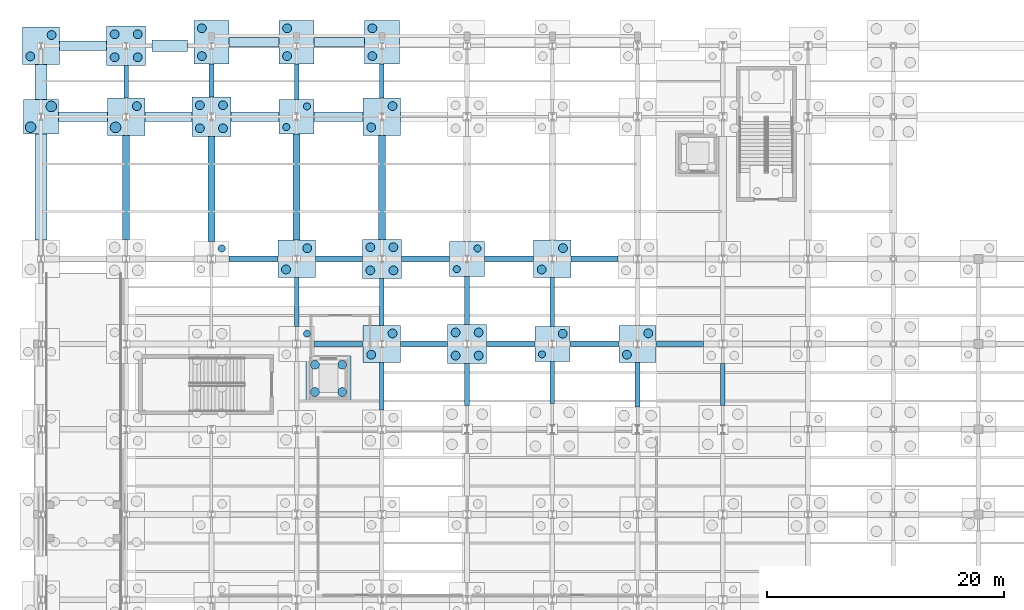
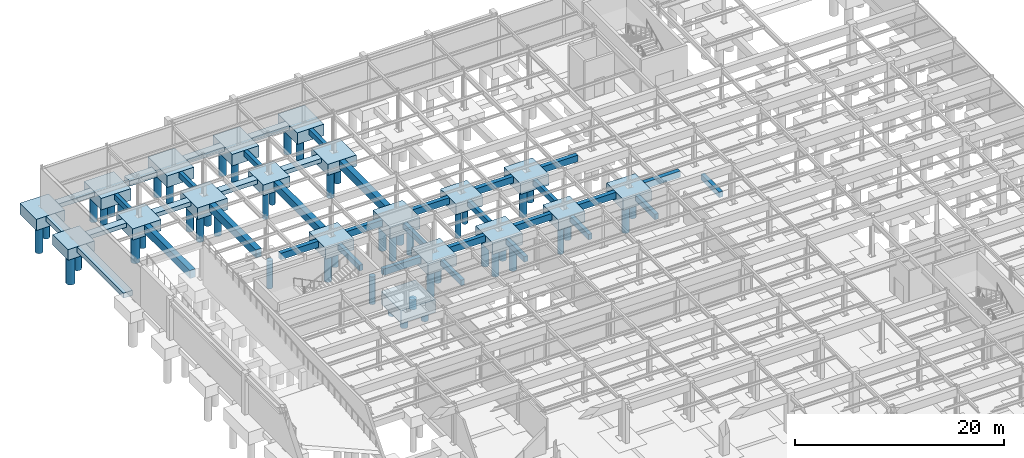
# One storey, part 10 of 64: 56 footings, 50 piles.
"""IFC4 building model written with IfcOpenShell, lengths in metres."""

import ifcopenshell
import ifcopenshell.guid

model = None  # the IFC model being written
_history = None  # IfcOwnerHistory: only IFC2X3 demands one
_inside = {}  # id of a spatial element -> (the spatial element, [elements in it])
_under = {}  # id of a project, library or spatial element -> (it, [spatial elements below it])
_declared = {}  # id of a project -> (the project, [libraries it declares])
_typed = {}  # id of a type object -> (the type object, [elements of that type])
_made_of = {}  # id of a material, layer set ... -> (it, [elements and type objects made of it])


def new_model(schema):
    """Start an empty IFC model of exactly this schema.

    Asked for "IFC4X3", IfcOpenShell would pick the latest addendum, in which some entities
    have other attributes; the version numbers below select the first issue.
    IFC2X3 requires an IfcOwnerHistory on every rooted entity: one is made here for all.
    """
    global model, _history
    if schema == "IFC4X3":
        model = ifcopenshell.file(schema_version=(4, 3, 0, 0))
    else:
        model = ifcopenshell.file(schema=schema)
    _inside.clear()
    _under.clear()
    _declared.clear()
    _typed.clear()
    _made_of.clear()
    _history = None
    if model.schema == "IFC2X3":
        org = make("IfcOrganization", Name="unknown")
        user = make(
            "IfcPersonAndOrganization",
            ThePerson=make("IfcPerson", FamilyName="unknown"),
            TheOrganization=org,
        )
        app = make(
            "IfcApplication",
            ApplicationDeveloper=org,
            Version="unknown",
            ApplicationFullName="unknown",
            ApplicationIdentifier="unknown",
        )
        _history = make(
            "IfcOwnerHistory",
            OwningUser=user,
            OwningApplication=app,
            ChangeAction="ADDED",
            CreationDate=0,
        )
    return model


def make(cls, **values):
    """One entity of the class cls with the attributes given. An attribute that is None is left unset."""
    return model.create_entity(
        cls, **{name: value for name, value in values.items() if value is not None}
    )


def rooted(cls, **values):
    """An entity with a GlobalId (a new one), such as an element, a storey or a relation."""
    return make(cls, GlobalId=ifcopenshell.guid.new(), OwnerHistory=_history, **values)


def si_unit(unit_type, name, prefix=None):
    """IfcSIUnit, for example si_unit("LENGTHUNIT", "METRE", prefix="MILLI")."""
    return make("IfcSIUnit", UnitType=unit_type, Prefix=prefix, Name=name)


def assignment(units):
    """IfcUnitAssignment: the units of a project."""
    return None if units is None else make("IfcUnitAssignment", Units=units)


def point(xyz):
    """IfcCartesianPoint."""
    return None if xyz is None else make("IfcCartesianPoint", Coordinates=xyz)


def direction(xyz):
    """IfcDirection."""
    return None if xyz is None else make("IfcDirection", DirectionRatios=xyz)


def frame(location, z_axis=None, x_axis=None):
    """IfcAxis2Placement3D, a coordinate frame: its origin and axes. An axis left out is left unset."""
    return make(
        "IfcAxis2Placement3D",
        Location=point(location),
        Axis=direction(z_axis),
        RefDirection=direction(x_axis),
    )


def frame_2d(location, x_axis=None):
    """IfcAxis2Placement2D, a coordinate frame in the plane: its origin and x axis."""
    return make(
        "IfcAxis2Placement2D", Location=point(location), RefDirection=direction(x_axis)
    )


def origin():
    """The frame at (0, 0, 0) with its axes left unset."""
    return frame((0.0, 0.0, 0.0))


def origin_2d():
    """The frame at (0, 0) in the plane with its x axis left unset."""
    return frame_2d((0.0, 0.0))


def place(relative_to, where):
    """IfcLocalPlacement: puts the frame where relative to a parent placement (None: the world)."""
    return make(
        "IfcLocalPlacement", PlacementRelTo=relative_to, RelativePlacement=where
    )


def context(
    kind, dimensions, precision=None, world=None, true_north=None, identifier=None
):
    """IfcGeometricRepresentationContext, for example the 3D "Model" context."""
    return make(
        "IfcGeometricRepresentationContext",
        ContextIdentifier=identifier,
        ContextType=kind,
        CoordinateSpaceDimension=dimensions,
        Precision=precision,
        WorldCoordinateSystem=world,
        TrueNorth=true_north,
    )


def subcontext(parent, identifier, kind, view, scale=None):
    """IfcGeometricRepresentationSubContext, for example "Body" below "Model"."""
    return make(
        "IfcGeometricRepresentationSubContext",
        ContextIdentifier=identifier,
        ContextType=kind,
        ParentContext=parent,
        TargetScale=scale,
        TargetView=view,
    )


def project(units=None, contexts=None):
    """IfcProject with its units and contexts."""
    return rooted(
        "IfcProject",
        Name="project",
        RepresentationContexts=contexts,
        UnitsInContext=assignment(units),
    )


def spatial(cls, under=None, at=None, **own):
    """A site, building, storey or space (cls), placed at a placement, below another one or the project."""
    s = rooted(cls, ObjectPlacement=at, **own)
    if under is not None:
        _under.setdefault(under.id(), (under, []))[1].append(s)
    return s


def profile(cls, at=None, kind="AREA", **sizes):
    """A parametric profile (cls). Its sizes go by their IFC names, for example OverallWidth=200.0."""
    return make(cls, ProfileType=kind, Position=at, **sizes)


def rectangle(**sizes):
    """IfcRectangleProfileDef."""
    return profile("IfcRectangleProfileDef", **sizes)


def circle(**sizes):
    """IfcCircleProfileDef."""
    return profile("IfcCircleProfileDef", **sizes)


def extrude(swept, where, along, depth):
    """IfcExtrudedAreaSolid: the profile swept, set in the frame where, extruded along a direction by depth."""
    return make(
        "IfcExtrudedAreaSolid",
        SweptArea=swept,
        Position=where,
        ExtrudedDirection=direction(along),
        Depth=depth,
    )


def shape(context_of_items, identifier, shape_type, items):
    """IfcShapeRepresentation: the items that make up one representation, for example the "Body"."""
    return make(
        "IfcShapeRepresentation",
        ContextOfItems=context_of_items,
        RepresentationIdentifier=identifier,
        RepresentationType=shape_type,
        Items=items,
    )


def material(Name=None, Category=None):
    """IfcMaterial."""
    return make("IfcMaterial", Name=Name, Category=Category)


def material_profile(
    of_material, cross_section, Name=None, Category=None, Priority=None
):
    """IfcMaterialProfile: a cross section and its material."""
    return make(
        "IfcMaterialProfile",
        Name=Name,
        Material=of_material,
        Profile=cross_section,
        Priority=Priority,
        Category=Category,
    )


def profile_set(profiles, Name=None, composite=None):
    """IfcMaterialProfileSet."""
    return make(
        "IfcMaterialProfileSet",
        Name=Name,
        MaterialProfiles=profiles,
        CompositeProfile=composite,
    )


def made_of(thing, what):
    """Note that an element or type object is made of a material, layer set ...; save() writes the relation."""
    if what is not None:
        _made_of.setdefault(what.id(), (what, []))[1].append(thing)
    return thing


def type_object(cls, material=None, **own):
    """A type object (cls), such as IfcWallType, which elements share."""
    return made_of(rooted(cls, **own), material)


def element(
    cls,
    number,
    at=None,
    inside=None,
    cuts=None,
    type_object=None,
    material=None,
    context=None,
    identifier="Body",
    shape_type=None,
    held_by="IfcProductDefinitionShape",
    body=None,
    shapes=None,
    **own,
):
    """One element of the class cls, such as IfcWall. Its Tag is "e" and its number.

    at: its placement. inside: the storey or other place that contains it. cuts: it is an
    opening in that element (IfcRelVoidsElement). A single representation is given by context,
    identifier, shape_type and body (its items); several are given by shapes. held_by: the class
    of the entity that holds the representations. save() writes the other relations.
    """
    e = rooted(cls, Tag="e%d" % number, ObjectPlacement=at, **own)
    if body is not None:
        shapes = [shape(context, identifier, shape_type, body)]
    if shapes is not None:
        e.Representation = make(held_by, Representations=shapes)
    if inside is not None:
        _inside.setdefault(inside.id(), (inside, []))[1].append(e)
    if cuts is not None:
        rooted(
            "IfcRelVoidsElement", RelatingBuildingElement=cuts, RelatedOpeningElement=e
        )
    if type_object is not None:
        _typed.setdefault(type_object.id(), (type_object, []))[1].append(e)
    return made_of(e, material)


def aggregate(whole, parts):
    """IfcRelAggregates: a whole, such as a stair, and the parts it consists of."""
    return rooted("IfcRelAggregates", RelatingObject=whole, RelatedObjects=parts)


def save(model, path):
    """Write the relations noted so far, then the file.

    IfcRelAggregates (storeys below a building ...), IfcRelContainedInSpatialStructure (elements
    in a storey), IfcRelDefinesByType, IfcRelAssociatesMaterial and IfcRelDeclares: one each for
    every whole, place, type object, material and project.
    """
    for whole, parts in _under.values():
        aggregate(whole, parts)
    for where, things in _inside.values():
        rooted(
            "IfcRelContainedInSpatialStructure",
            RelatedElements=things,
            RelatingStructure=where,
        )
    for kind, things in _typed.values():
        rooted("IfcRelDefinesByType", RelatedObjects=things, RelatingType=kind)
    for what, things in _made_of.values():
        rooted("IfcRelAssociatesMaterial", RelatedObjects=things, RelatingMaterial=what)
    for by, libraries in _declared.values():
        rooted("IfcRelDeclares", RelatingContext=by, RelatedDefinitions=libraries)
    model.write(path)


model = new_model("IFC4")

# Units and contexts
model_context = context("Model", 3, precision=1e-05, world=origin(), true_north=direction((0.0, 1.0)))
body_context = subcontext(model_context, "Body", "Model", "MODEL_VIEW")
ifc_project = project(units=[si_unit("LENGTHUNIT", "METRE"), si_unit("AREAUNIT", "SQUARE_METRE"), si_unit("VOLUMEUNIT", "CUBIC_METRE"), si_unit("PLANEANGLEUNIT", "RADIAN"), si_unit("MASSUNIT", "GRAM", prefix="KILO")], contexts=[model_context])

# Site, building, storey
site_placement = place(None, origin())
site = spatial("IfcSite", under=ifc_project, at=site_placement, CompositionType="ELEMENT")
building_placement = place(site_placement, origin())
building = spatial("IfcBuilding", under=site, at=building_placement, Name="Solvadek Multi-Sports Hall", CompositionType="ELEMENT")
storey_placement = place(building_placement, frame((0.0, 0.0, -4.800048828125)))
storey = spatial("IfcBuildingStorey", under=building, at=storey_placement, Name="B1", CompositionType="ELEMENT", Elevation=-4.800048828125)

# Footings
ifc_material_1 = material(Name="Concrete M40", Category="concrete")
footing_type_1 = type_object("IfcFootingType", Name="STR-CAP-295X295X125", PredefinedType="PILE_CAP", material=ifc_material_1)
for number, where, z_axis, x_axis, name in (
    (1, (43.199951171875, 85.199951171875, -1.25), (0.0, 0.0, 1.0), (1.0, 0.0, 0.0), "Pile Cap PC-14 #250"),
    (2, (36.0, 92.39990234375, -1.25), (0.0, 0.0, 1.0), (1.0, 0.0, 0.0), "Pile Cap PC-14 #262"),
    (3, (0.0, 104.39990234375, -1.25), (0.0, 0.0, 1.0), (1.0, 0.0, 0.0), "Pile Cap PC-14 #271"),
    (4, (21.60009765625, 104.39990234375, -1.25), (0.0, 0.0, 1.0), (1.0, 0.0, 0.0), "Pile Cap PC-14 #274"),
):
    element("IfcFooting", number, at=place(storey_placement, frame(where, z_axis=z_axis, x_axis=x_axis)), inside=storey, type_object=footing_type_1, Name=name, PredefinedType="PILE_CAP", context=body_context, shape_type="SweptSolid", body=[
        extrude(rectangle(XDim=2.949951171875, YDim=2.949951171875, at=origin_2d()), origin(), (0.0, 0.0, 1.0), 1.25),
    ])
footing_type_2 = type_object("IfcFootingType", Name="STR-CAP-315X315X130", PredefinedType="PILE_CAP", material=ifc_material_1)
for number, where, z_axis, x_axis, name in (
    (5, (28.800048828125, 85.199951171875, -1.2998046875), (0.0, 0.0, 1.0), (1.0, 0.0, 0.0), "Pile Cap PC-15 #248"),
    (6, (50.39990234375, 85.199951171875, -1.2998046875), (0.0, 0.0, 1.0), (1.0, 0.0, 0.0), "Pile Cap PC-15 #251"),
    (7, (21.60009765625, 92.39990234375, -1.2998046875), (0.0, 0.0, 1.0), (1.0, 0.0, 0.0), "Pile Cap PC-15 #260"),
    (8, (43.199951171875, 92.39990234375, -1.2998046875), (0.0, 0.0, 1.0), (1.0, 0.0, 0.0), "Pile Cap PC-15 #263"),
    (9, (7.199951171875, 104.39990234375, -1.2998046875), (0.0, 0.0, 1.0), (1.0, 0.0, 0.0), "Pile Cap PC-15 #272"),
    (10, (28.800048828125, 104.39990234375, -1.2998046875), (0.0, 0.0, 1.0), (1.0, 0.0, 0.0), "Pile Cap PC-15 #275"),
    (11, (0.0, 110.39990234375, -1.2998046875), (0.0, 0.0, 1.0), (1.0, 0.0, 0.0), "Pile Cap PC-15 #284"),
):
    element("IfcFooting", number, at=place(storey_placement, frame(where, z_axis=z_axis, x_axis=x_axis)), inside=storey, type_object=footing_type_2, Name=name, PredefinedType="PILE_CAP", context=body_context, shape_type="SweptSolid", body=[
        extrude(rectangle(XDim=3.14990234375, YDim=3.14990234375, at=origin_2d()), origin(), (0.0, 0.0, 1.0), 1.300048828125),
    ])
footing_type_3 = type_object("IfcFootingType", Name="STR-CAP-330X330X135", PredefinedType="PILE_CAP", material=ifc_material_1)
for number, where, z_axis, x_axis, name in (
    (12, (36.0, 85.199951171875, -1.35009765625), (0.0, 0.0, 1.0), (1.0, 0.0, 0.0), "Pile Cap PC-04 #249"),
    (13, (28.800048828125, 92.39990234375, -1.35009765625), (0.0, 0.0, 1.0), (1.0, 0.0, 0.0), "Pile Cap PC-04 #261"),
    (14, (14.39990234375, 104.39990234375, -1.35009765625), (0.0, 0.0, 1.0), (1.0, 0.0, 0.0), "Pile Cap PC-04 #273"),
    (15, (7.199951171875, 110.39990234375, -1.35009765625), (0.0, 0.0, 1.0), (1.0, 0.0, 0.0), "Pile Cap PC-04 #285"),
):
    element("IfcFooting", number, at=place(storey_placement, frame(where, z_axis=z_axis, x_axis=x_axis)), inside=storey, type_object=footing_type_3, Name=name, PredefinedType="PILE_CAP", context=body_context, shape_type="SweptSolid", body=[
        extrude(rectangle(XDim=3.300048828125, YDim=3.300048828125, at=origin_2d()), origin(), (0.0, 0.0, 1.0), 1.35009765625),
    ])
footing_type_4 = type_object("IfcFootingType", Name="STR-CAP-380X380X150", PredefinedType="PILE_CAP", material=ifc_material_1)
footing_1_placement = place(storey_placement, frame((24.300048828125, 82.300048828125, -3.349853515625), z_axis=(0.0, 0.0, 1.0), x_axis=(1.0, 0.0, 0.0)))
element("IfcFooting", 16, at=footing_1_placement, inside=storey, type_object=footing_type_4, Name="Lift Pit Pile Cap #294", PredefinedType="PILE_CAP", context=body_context, shape_type="SweptSolid", body=[
    extrude(rectangle(XDim=3.800048828125, YDim=3.800048828125, at=origin_2d()), origin(), (0.0, 0.0, 1.0), 1.5),
])
footing_type_5 = type_object("IfcFootingType", Name="STR-CAP-CMB-370X296", PredefinedType="PILE_CAP", material=ifc_material_1)
for number, where, z_axis, x_axis, name in (
    (17, (14.39990234375, 110.699951171875, -1.35009765625), (0.0, 0.0, 1.0), (0.0, 1.0, 0.0), "Pile Cap PC-R69 #286"),
    (18, (21.60009765625, 110.699951171875, -1.35009765625), (0.0, 0.0, 1.0), (0.0, 1.0, 0.0), "Pile Cap PC-R69 #287"),
    (19, (28.800048828125, 110.699951171875, -1.35009765625), (0.0, 0.0, 1.0), (0.0, 1.0, 0.0), "Pile Cap PC-R69 #288"),
):
    element("IfcFooting", number, at=place(storey_placement, frame(where, z_axis=z_axis, x_axis=x_axis)), inside=storey, type_object=footing_type_5, Name=name, PredefinedType="PILE_CAP", context=body_context, shape_type="SweptSolid", body=[
        extrude(rectangle(XDim=3.699951171875, YDim=2.9599609375, at=origin_2d()), origin(), (0.0, 0.0, 1.0), 1.35009765625),
    ])
footing_type_6 = type_object("IfcFootingType", Name="STR-FTB-400X650", PredefinedType="FOOTING_BEAM", material=ifc_material_1)
footing_2_placement = place(storey_placement, frame((7.199951171875, 107.362548828125, -0.64990234375), z_axis=(0.0, 0.0, 1.0), x_axis=(0.0, 1.0, 0.0)))
element("IfcFooting", 20, at=footing_2_placement, inside=storey, type_object=footing_type_6, Name="Foundation Beam FB-01 #228", PredefinedType="FOOTING_BEAM", context=body_context, shape_type="SweptSolid", body=[
    extrude(rectangle(XDim=2.77490234375, YDim=0.39990234375, at=origin_2d()), origin(), (0.0, 0.0, 1.0), 0.64990234375),
])
footing_3_placement = place(storey_placement, frame((14.39990234375, 107.449951171875, -0.64990234375), z_axis=(0.0, 0.0, 1.0), x_axis=(0.0, 1.0, 0.0)))
element("IfcFooting", 21, at=footing_3_placement, inside=storey, type_object=footing_type_6, Name="Foundation Beam FB-01 #237", PredefinedType="FOOTING_BEAM", context=body_context, shape_type="SweptSolid", body=[
    extrude(rectangle(XDim=2.800048828125, YDim=0.39990234375, at=origin_2d()), origin(), (0.0, 0.0, 1.0), 0.64990234375),
])
footing_4_placement = place(storey_placement, frame((21.60009765625, 88.75, -0.64990234375), z_axis=(0.0, 0.0, 1.0), x_axis=(0.0, 1.0, 0.0)))
element("IfcFooting", 22, at=footing_4_placement, inside=storey, type_object=footing_type_6, Name="Foundation Beam FB-01 #247", PredefinedType="FOOTING_BEAM", context=body_context, shape_type="SweptSolid", body=[
    extrude(rectangle(XDim=4.14990234375, YDim=0.39990234375, at=origin_2d()), origin(), (0.0, 0.0, 1.0), 0.64990234375),
])
footing_5_placement = place(storey_placement, frame((21.60009765625, 107.362548828125, -0.64990234375), z_axis=(0.0, 0.0, 1.0), x_axis=(0.0, 1.0, 0.0)))
element("IfcFooting", 23, at=footing_5_placement, inside=storey, type_object=footing_type_6, Name="Foundation Beam FB-01 #249", PredefinedType="FOOTING_BEAM", context=body_context, shape_type="SweptSolid", body=[
    extrude(rectangle(XDim=2.97509765625, YDim=0.39990234375, at=origin_2d()), origin(), (0.0, 0.0, 1.0), 0.64990234375),
])
for number, where, z_axis, x_axis, name in (
    (24, (28.800048828125, 81.637451171875, -0.64990234375), (0.0, 0.0, 1.0), (0.0, 1.0, 0.0), "Foundation Beam FB-01 #257"),
    (25, (28.800048828125, 88.762451171875, -0.64990234375), (0.0, 0.0, 1.0), (0.0, 1.0, 0.0), "Foundation Beam FB-01 #258"),
):
    element("IfcFooting", number, at=place(storey_placement, frame(where, z_axis=z_axis, x_axis=x_axis)), inside=storey, type_object=footing_type_6, Name=name, PredefinedType="FOOTING_BEAM", context=body_context, shape_type="SweptSolid", body=[
        extrude(rectangle(XDim=3.97509765625, YDim=0.39990234375, at=origin_2d()), origin(), (0.0, 0.0, 1.0), 0.64990234375),
    ])
footing_6_placement = place(storey_placement, frame((28.800048828125, 107.41259765625, -0.64990234375), z_axis=(0.0, 0.0, 1.0), x_axis=(0.0, 1.0, 0.0)))
element("IfcFooting", 26, at=footing_6_placement, inside=storey, type_object=footing_type_6, Name="Foundation Beam FB-01 #260", PredefinedType="FOOTING_BEAM", context=body_context, shape_type="SweptSolid", body=[
    extrude(rectangle(XDim=2.875, YDim=0.39990234375, at=origin_2d()), origin(), (0.0, 0.0, 1.0), 0.64990234375),
])
footing_7_placement = place(storey_placement, frame((36.0, 81.78759765625, -0.64990234375), z_axis=(0.0, 0.0, 1.0), x_axis=(0.0, 1.0, 0.0)))
element("IfcFooting", 27, at=footing_7_placement, inside=storey, type_object=footing_type_6, Name="Foundation Beam FB-01 #270", PredefinedType="FOOTING_BEAM", context=body_context, shape_type="SweptSolid", body=[
    extrude(rectangle(XDim=3.52490234375, YDim=0.39990234375, at=origin_2d()), origin(), (0.0, 0.0, 1.0), 0.64990234375),
])
footing_8_placement = place(storey_placement, frame((36.0, 88.887451171875, -0.64990234375), z_axis=(0.0, 0.0, 1.0), x_axis=(0.0, 1.0, 0.0)))
element("IfcFooting", 28, at=footing_8_placement, inside=storey, type_object=footing_type_6, Name="Foundation Beam FB-01 #271", PredefinedType="FOOTING_BEAM", context=body_context, shape_type="SweptSolid", body=[
    extrude(rectangle(XDim=4.074951171875, YDim=0.39990234375, at=origin_2d()), origin(), (0.0, 0.0, 1.0), 0.64990234375),
])
footing_9_placement = place(storey_placement, frame((43.199951171875, 81.949951171875, -0.64990234375), z_axis=(0.0, 0.0, 1.0), x_axis=(0.0, 1.0, 0.0)))
element("IfcFooting", 29, at=footing_9_placement, inside=storey, type_object=footing_type_6, Name="Foundation Beam FB-01 #284", PredefinedType="FOOTING_BEAM", context=body_context, shape_type="SweptSolid", body=[
    extrude(rectangle(XDim=3.550048828125, YDim=0.39990234375, at=origin_2d()), origin(), (0.0, 0.0, 1.0), 0.64990234375),
])
footing_10_placement = place(storey_placement, frame((43.199951171875, 88.75, -0.64990234375), z_axis=(0.0, 0.0, 1.0), x_axis=(0.0, 1.0, 0.0)))
element("IfcFooting", 30, at=footing_10_placement, inside=storey, type_object=footing_type_6, Name="Foundation Beam FB-01 #285", PredefinedType="FOOTING_BEAM", context=body_context, shape_type="SweptSolid", body=[
    extrude(rectangle(XDim=4.14990234375, YDim=0.39990234375, at=origin_2d()), origin(), (0.0, 0.0, 1.0), 0.64990234375),
])
footing_11_placement = place(storey_placement, frame((50.39990234375, 81.762451171875, -0.64990234375), z_axis=(0.0, 0.0, 1.0), x_axis=(0.0, 1.0, 0.0)))
element("IfcFooting", 31, at=footing_11_placement, inside=storey, type_object=footing_type_6, Name="Foundation Beam FB-01 #298", PredefinedType="FOOTING_BEAM", context=body_context, shape_type="SweptSolid", body=[
    extrude(rectangle(XDim=3.72509765625, YDim=0.39990234375, at=origin_2d()), origin(), (0.0, 0.0, 1.0), 0.64990234375),
])
footing_12_placement = place(storey_placement, frame((57.60009765625, 81.78759765625, -0.64990234375), z_axis=(0.0, 0.0, 1.0), x_axis=(0.0, 1.0, 0.0)))
element("IfcFooting", 32, at=footing_12_placement, inside=storey, type_object=footing_type_6, Name="Foundation Beam FB-01 #311", PredefinedType="FOOTING_BEAM", context=body_context, shape_type="SweptSolid", body=[
    extrude(rectangle(XDim=3.52490234375, YDim=0.39990234375, at=origin_2d()), origin(), (0.0, 0.0, 1.0), 0.64990234375),
])
footing_type_7 = type_object("IfcFootingType", Name="STR-FTB-450X750", PredefinedType="FOOTING_BEAM", material=ifc_material_1)
footing_13_placement = place(storey_placement, frame((25.14990234375, 85.199951171875, -0.75), z_axis=(0.0, 0.0, 1.0), x_axis=(1.0, 0.0, 0.0)))
element("IfcFooting", 33, at=footing_13_placement, inside=storey, type_object=footing_type_7, Name="Foundation Beam FB-02 #176", PredefinedType="FOOTING_BEAM", context=body_context, shape_type="SweptSolid", body=[
    extrude(rectangle(XDim=4.14990234375, YDim=0.449951171875, at=origin_2d()), origin(), (0.0, 0.0, 1.0), 0.75),
])
footing_14_placement = place(storey_placement, frame((32.362548828125, 85.199951171875, -0.75), z_axis=(0.0, 0.0, 1.0), x_axis=(1.0, 0.0, 0.0)))
element("IfcFooting", 34, at=footing_14_placement, inside=storey, type_object=footing_type_7, Name="Foundation Beam FB-02 #177", PredefinedType="FOOTING_BEAM", context=body_context, shape_type="SweptSolid", body=[
    extrude(rectangle(XDim=3.97509765625, YDim=0.449951171875, at=origin_2d()), origin(), (0.0, 0.0, 1.0), 0.75),
])
footing_15_placement = place(storey_placement, frame((39.6875, 85.199951171875, -0.75), z_axis=(0.0, 0.0, 1.0), x_axis=(1.0, 0.0, 0.0)))
element("IfcFooting", 35, at=footing_15_placement, inside=storey, type_object=footing_type_7, Name="Foundation Beam FB-02 #178", PredefinedType="FOOTING_BEAM", context=body_context, shape_type="SweptSolid", body=[
    extrude(rectangle(XDim=4.074951171875, YDim=0.449951171875, at=origin_2d()), origin(), (0.0, 0.0, 1.0), 0.75),
])
footing_16_placement = place(storey_placement, frame((46.75, 85.199951171875, -0.75), z_axis=(0.0, 0.0, 1.0), x_axis=(1.0, 0.0, 0.0)))
element("IfcFooting", 36, at=footing_16_placement, inside=storey, type_object=footing_type_7, Name="Foundation Beam FB-02 #179", PredefinedType="FOOTING_BEAM", context=body_context, shape_type="SweptSolid", body=[
    extrude(rectangle(XDim=4.14990234375, YDim=0.449951171875, at=origin_2d()), origin(), (0.0, 0.0, 1.0), 0.75),
])
footing_17_placement = place(storey_placement, frame((53.96240234375, 85.199951171875, -0.75), z_axis=(0.0, 0.0, 1.0), x_axis=(1.0, 0.0, 0.0)))
element("IfcFooting", 37, at=footing_17_placement, inside=storey, type_object=footing_type_7, Name="Foundation Beam FB-02 #180", PredefinedType="FOOTING_BEAM", context=body_context, shape_type="SweptSolid", body=[
    extrude(rectangle(XDim=3.97509765625, YDim=0.449951171875, at=origin_2d()), origin(), (0.0, 0.0, 1.0), 0.75),
])
footing_18_placement = place(storey_placement, frame((17.949951171875, 92.39990234375, -0.75), z_axis=(0.0, 0.0, 1.0), x_axis=(1.0, 0.0, 0.0)))
element("IfcFooting", 38, at=footing_18_placement, inside=storey, type_object=footing_type_7, Name="Foundation Beam FB-02 #187", PredefinedType="FOOTING_BEAM", context=body_context, shape_type="SweptSolid", body=[
    extrude(rectangle(XDim=4.14990234375, YDim=0.449951171875, at=origin_2d()), origin(), (0.0, 0.0, 1.0), 0.75),
])
footing_19_placement = place(storey_placement, frame((25.16259765625, 92.39990234375, -0.75), z_axis=(0.0, 0.0, 1.0), x_axis=(1.0, 0.0, 0.0)))
element("IfcFooting", 39, at=footing_19_placement, inside=storey, type_object=footing_type_7, Name="Foundation Beam FB-02 #188", PredefinedType="FOOTING_BEAM", context=body_context, shape_type="SweptSolid", body=[
    extrude(rectangle(XDim=3.97509765625, YDim=0.449951171875, at=origin_2d()), origin(), (0.0, 0.0, 1.0), 0.75),
])
footing_20_placement = place(storey_placement, frame((32.487548828125, 92.39990234375, -0.75), z_axis=(0.0, 0.0, 1.0), x_axis=(1.0, 0.0, 0.0)))
element("IfcFooting", 40, at=footing_20_placement, inside=storey, type_object=footing_type_7, Name="Foundation Beam FB-02 #189", PredefinedType="FOOTING_BEAM", context=body_context, shape_type="SweptSolid", body=[
    extrude(rectangle(XDim=4.074951171875, YDim=0.449951171875, at=origin_2d()), origin(), (0.0, 0.0, 1.0), 0.75),
])
footing_21_placement = place(storey_placement, frame((39.550048828125, 92.39990234375, -0.75), z_axis=(0.0, 0.0, 1.0), x_axis=(1.0, 0.0, 0.0)))
element("IfcFooting", 41, at=footing_21_placement, inside=storey, type_object=footing_type_7, Name="Foundation Beam FB-02 #190", PredefinedType="FOOTING_BEAM", context=body_context, shape_type="SweptSolid", body=[
    extrude(rectangle(XDim=4.14990234375, YDim=0.449951171875, at=origin_2d()), origin(), (0.0, 0.0, 1.0), 0.75),
])
footing_22_placement = place(storey_placement, frame((46.762451171875, 92.39990234375, -0.75), z_axis=(0.0, 0.0, 1.0), x_axis=(1.0, 0.0, 0.0)))
element("IfcFooting", 42, at=footing_22_placement, inside=storey, type_object=footing_type_7, Name="Foundation Beam FB-02 #191", PredefinedType="FOOTING_BEAM", context=body_context, shape_type="SweptSolid", body=[
    extrude(rectangle(XDim=3.97509765625, YDim=0.449951171875, at=origin_2d()), origin(), (0.0, 0.0, 1.0), 0.75),
])
footing_type_8 = type_object("IfcFootingType", Name="STR-FTB-600X950", PredefinedType="FOOTING_BEAM", material=ifc_material_1)
footing_23_placement = place(storey_placement, frame((7.199951171875, 98.4375, -0.94970703125), z_axis=(0.0, 0.0, 1.0), x_axis=(0.0, 1.0, 0.0)))
element("IfcFooting", 43, at=footing_23_placement, inside=storey, type_object=footing_type_8, Name="Foundation Beam FB-04 #227", PredefinedType="FOOTING_BEAM", context=body_context, shape_type="SweptSolid", body=[
    extrude(rectangle(XDim=8.77490234375, YDim=0.60009765625, at=origin_2d()), origin(), (0.0, 0.0, 1.0), 0.949951171875),
])
footing_24_placement = place(storey_placement, frame((14.39990234375, 98.3125, -0.94970703125), z_axis=(0.0, 0.0, 1.0), x_axis=(0.0, 1.0, 0.0)))
element("IfcFooting", 44, at=footing_24_placement, inside=storey, type_object=footing_type_8, Name="Foundation Beam FB-04 #236", PredefinedType="FOOTING_BEAM", context=body_context, shape_type="SweptSolid", body=[
    extrude(rectangle(XDim=8.875, YDim=0.60009765625, at=origin_2d()), origin(), (0.0, 0.0, 1.0), 0.949951171875),
])
footing_25_placement = place(storey_placement, frame((21.60009765625, 98.449951171875, -0.94970703125), z_axis=(0.0, 0.0, 1.0), x_axis=(0.0, 1.0, 0.0)))
element("IfcFooting", 45, at=footing_25_placement, inside=storey, type_object=footing_type_8, Name="Foundation Beam FB-04 #248", PredefinedType="FOOTING_BEAM", context=body_context, shape_type="SweptSolid", body=[
    extrude(rectangle(XDim=8.949951171875, YDim=0.60009765625, at=origin_2d()), origin(), (0.0, 0.0, 1.0), 0.949951171875),
])
footing_26_placement = place(storey_placement, frame((28.800048828125, 98.4375, -0.94970703125), z_axis=(0.0, 0.0, 1.0), x_axis=(0.0, 1.0, 0.0)))
element("IfcFooting", 46, at=footing_26_placement, inside=storey, type_object=footing_type_8, Name="Foundation Beam FB-04 #259", PredefinedType="FOOTING_BEAM", context=body_context, shape_type="SweptSolid", body=[
    extrude(rectangle(XDim=8.77490234375, YDim=0.60009765625, at=origin_2d()), origin(), (0.0, 0.0, 1.0), 0.949951171875),
])

# Piles
ifc_material_2 = material(Name="Concrete M35", Category="concrete")
ifc_material_profile_1 = material_profile(ifc_material_2, circle(Radius=0.300048828125, at=origin_2d()), Name="BORED PILE D600")
ifc_profile_set_1 = profile_set([ifc_material_profile_1], Name="Concrete M35")
pile_type_1 = type_object("IfcPileType", Name="STR-PILE-D600", PredefinedType="BORED", material=ifc_profile_set_1)
for number, where, z_axis, x_axis, name in (
    (47, (22.47509765625, 86.074951171875, -1.14990234375), (0.0, 0.0, -1.0), (1.0, 0.0, 0.0), "Bored Pile PL-600 #793"),
    (48, (42.324951171875, 84.324951171875, -1.14990234375), (0.0, 0.0, -1.0), (1.0, 0.0, 0.0), "Bored Pile PL-600 #800"),
    (49, (15.27490234375, 93.27490234375, -1.14990234375), (0.0, 0.0, -1.0), (1.0, 0.0, 0.0), "Bored Pile PL-600 #827"),
    (50, (35.125, 91.52490234375, -1.14990234375), (0.0, 0.0, -1.0), (1.0, 0.0, 0.0), "Bored Pile PL-600 #834"),
    (51, (36.875, 93.27490234375, -1.14990234375), (0.0, 0.0, -1.0), (1.0, 0.0, 0.0), "Bored Pile PL-600 #835"),
    (52, (20.72509765625, 103.52490234375, -1.14990234375), (0.0, 0.0, -1.0), (1.0, 0.0, 0.0), "Bored Pile PL-600 #866"),
    (53, (22.47509765625, 105.27490234375, -1.14990234375), (0.0, 0.0, -1.0), (1.0, 0.0, 0.0), "Bored Pile PL-600 #867"),
):
    element("IfcPile", number, at=place(storey_placement, frame(where, z_axis=z_axis, x_axis=x_axis)), inside=storey, type_object=pile_type_1, Name=name, PredefinedType="BORED", context=body_context, shape_type="SweptSolid", body=[
        extrude(circle(Radius=0.300048828125, at=origin_2d()), origin(), (0.0, 0.0, 1.0), 3.25),
    ])
ifc_material_profile_2 = material_profile(ifc_material_2, circle(Radius=0.375, at=origin_2d()), Name="BORED PILE D750")
ifc_profile_set_2 = profile_set([ifc_material_profile_2], Name="Concrete M35")
pile_type_2 = type_object("IfcPileType", Name="STR-PILE-D750", PredefinedType="BORED", material=ifc_profile_set_2)
for number, where, z_axis, x_axis, name in (
    (54, (27.89990234375, 84.300048828125, -1.199951171875), (0.0, 0.0, -1.0), (1.0, 0.0, 0.0), "Bored Pile PL-750 #794"),
    (55, (29.699951171875, 86.10009765625, -1.199951171875), (0.0, 0.0, -1.0), (1.0, 0.0, 0.0), "Bored Pile PL-750 #795"),
):
    element("IfcPile", number, at=place(storey_placement, frame(where, z_axis=z_axis, x_axis=x_axis)), inside=storey, type_object=pile_type_2, Name=name, PredefinedType="BORED", context=body_context, shape_type="SweptSolid", body=[
        extrude(circle(Radius=0.375, at=origin_2d()), origin(), (0.0, 0.0, 1.0), 3.199951171875),
    ])
for number, where, z_axis, x_axis, name in (
    (56, (35.02490234375, 84.22509765625, -1.25), (0.0, 0.0, -1.0), (1.0, 0.0, 0.0), "Bored Pile PL-750 #796"),
    (57, (35.02490234375, 86.175048828125, -1.25), (0.0, 0.0, -1.0), (1.0, 0.0, 0.0), "Bored Pile PL-750 #797"),
    (58, (36.97509765625, 84.22509765625, -1.25), (0.0, 0.0, -1.0), (1.0, 0.0, 0.0), "Bored Pile PL-750 #798"),
    (59, (36.97509765625, 86.175048828125, -1.25), (0.0, 0.0, -1.0), (1.0, 0.0, 0.0), "Bored Pile PL-750 #799"),
):
    element("IfcPile", number, at=place(storey_placement, frame(where, z_axis=z_axis, x_axis=x_axis)), inside=storey, type_object=pile_type_2, Name=name, PredefinedType="BORED", context=body_context, shape_type="SweptSolid", body=[
        extrude(circle(Radius=0.375, at=origin_2d()), origin(), (0.0, 0.0, 1.0), 3.14990234375),
    ])
pile_1_placement = place(storey_placement, frame((44.074951171875, 86.074951171875, -1.14990234375), z_axis=(0.0, 0.0, -1.0), x_axis=(1.0, 0.0, 0.0)))
element("IfcPile", 60, at=pile_1_placement, inside=storey, type_object=pile_type_2, Name="Bored Pile PL-750 #801", PredefinedType="BORED", context=body_context, shape_type="SweptSolid", body=[
    extrude(circle(Radius=0.375, at=origin_2d()), origin(), (0.0, 0.0, 1.0), 3.25),
])
for number, where, z_axis, x_axis, name in (
    (61, (49.5, 84.300048828125, -1.199951171875), (0.0, 0.0, -1.0), (1.0, 0.0, 0.0), "Bored Pile PL-750 #802"),
    (62, (51.300048828125, 86.10009765625, -1.199951171875), (0.0, 0.0, -1.0), (1.0, 0.0, 0.0), "Bored Pile PL-750 #803"),
    (63, (20.699951171875, 91.5, -1.199951171875), (0.0, 0.0, -1.0), (1.0, 0.0, 0.0), "Bored Pile PL-750 #828"),
    (64, (22.5, 93.300048828125, -1.199951171875), (0.0, 0.0, -1.0), (1.0, 0.0, 0.0), "Bored Pile PL-750 #829"),
):
    element("IfcPile", number, at=place(storey_placement, frame(where, z_axis=z_axis, x_axis=x_axis)), inside=storey, type_object=pile_type_2, Name=name, PredefinedType="BORED", context=body_context, shape_type="SweptSolid", body=[
        extrude(circle(Radius=0.375, at=origin_2d()), origin(), (0.0, 0.0, 1.0), 3.199951171875),
    ])
for number, where, z_axis, x_axis, name in (
    (65, (27.824951171875, 91.425048828125, -1.25), (0.0, 0.0, -1.0), (1.0, 0.0, 0.0), "Bored Pile PL-750 #830"),
    (66, (27.824951171875, 93.375, -1.25), (0.0, 0.0, -1.0), (1.0, 0.0, 0.0), "Bored Pile PL-750 #831"),
    (67, (29.77490234375, 91.425048828125, -1.25), (0.0, 0.0, -1.0), (1.0, 0.0, 0.0), "Bored Pile PL-750 #832"),
    (68, (29.77490234375, 93.375, -1.25), (0.0, 0.0, -1.0), (1.0, 0.0, 0.0), "Bored Pile PL-750 #833"),
):
    element("IfcPile", number, at=place(storey_placement, frame(where, z_axis=z_axis, x_axis=x_axis)), inside=storey, type_object=pile_type_2, Name=name, PredefinedType="BORED", context=body_context, shape_type="SweptSolid", body=[
        extrude(circle(Radius=0.375, at=origin_2d()), origin(), (0.0, 0.0, 1.0), 3.14990234375),
    ])
for number, where, z_axis, x_axis, name in (
    (69, (42.300048828125, 91.5, -1.199951171875), (0.0, 0.0, -1.0), (1.0, 0.0, 0.0), "Bored Pile PL-750 #836"),
    (70, (44.10009765625, 93.300048828125, -1.199951171875), (0.0, 0.0, -1.0), (1.0, 0.0, 0.0), "Bored Pile PL-750 #837"),
    (71, (8.10009765625, 105.300048828125, -1.199951171875), (0.0, 0.0, -1.0), (1.0, 0.0, 0.0), "Bored Pile PL-750 #861"),
):
    element("IfcPile", number, at=place(storey_placement, frame(where, z_axis=z_axis, x_axis=x_axis)), inside=storey, type_object=pile_type_2, Name=name, PredefinedType="BORED", context=body_context, shape_type="SweptSolid", body=[
        extrude(circle(Radius=0.375, at=origin_2d()), origin(), (0.0, 0.0, 1.0), 3.199951171875),
    ])
for number, where, z_axis, x_axis, name in (
    (72, (13.425048828125, 103.425048828125, -1.25), (0.0, 0.0, -1.0), (1.0, 0.0, 0.0), "Bored Pile PL-750 #862"),
    (73, (13.425048828125, 105.375, -1.25), (0.0, 0.0, -1.0), (1.0, 0.0, 0.0), "Bored Pile PL-750 #863"),
    (74, (15.375, 103.425048828125, -1.25), (0.0, 0.0, -1.0), (1.0, 0.0, 0.0), "Bored Pile PL-750 #864"),
    (75, (15.375, 105.375, -1.25), (0.0, 0.0, -1.0), (1.0, 0.0, 0.0), "Bored Pile PL-750 #865"),
):
    element("IfcPile", number, at=place(storey_placement, frame(where, z_axis=z_axis, x_axis=x_axis)), inside=storey, type_object=pile_type_2, Name=name, PredefinedType="BORED", context=body_context, shape_type="SweptSolid", body=[
        extrude(circle(Radius=0.375, at=origin_2d()), origin(), (0.0, 0.0, 1.0), 3.14990234375),
    ])
for number, where, z_axis, x_axis, name in (
    (76, (27.89990234375, 103.5, -1.199951171875), (0.0, 0.0, -1.0), (1.0, 0.0, 0.0), "Bored Pile PL-750 #868"),
    (77, (29.699951171875, 105.300048828125, -1.199951171875), (0.0, 0.0, -1.0), (1.0, 0.0, 0.0), "Bored Pile PL-750 #869"),
    (78, (-0.89990234375, 109.5, -1.199951171875), (0.0, 0.0, -1.0), (1.0, 0.0, 0.0), "Bored Pile PL-750 #894"),
    (79, (0.89990234375, 111.300048828125, -1.199951171875), (0.0, 0.0, -1.0), (1.0, 0.0, 0.0), "Bored Pile PL-750 #895"),
):
    element("IfcPile", number, at=place(storey_placement, frame(where, z_axis=z_axis, x_axis=x_axis)), inside=storey, type_object=pile_type_2, Name=name, PredefinedType="BORED", context=body_context, shape_type="SweptSolid", body=[
        extrude(circle(Radius=0.375, at=origin_2d()), origin(), (0.0, 0.0, 1.0), 3.199951171875),
    ])
for number, where, z_axis, x_axis, name in (
    (80, (6.22509765625, 109.425048828125, -1.25), (0.0, 0.0, -1.0), (1.0, 0.0, 0.0), "Bored Pile PL-750 #896"),
    (81, (6.22509765625, 111.375, -1.25), (0.0, 0.0, -1.0), (1.0, 0.0, 0.0), "Bored Pile PL-750 #897"),
    (82, (8.175048828125, 109.425048828125, -1.25), (0.0, 0.0, -1.0), (1.0, 0.0, 0.0), "Bored Pile PL-750 #898"),
    (83, (8.175048828125, 111.375, -1.25), (0.0, 0.0, -1.0), (1.0, 0.0, 0.0), "Bored Pile PL-750 #899"),
    (84, (13.594970703125, 109.52490234375, -1.25), (0.0, 0.0, -1.0), (1.0, 0.0, 0.0), "Bored Pile PL-750 #900"),
    (85, (13.594970703125, 111.875, -1.25), (0.0, 0.0, -1.0), (1.0, 0.0, 0.0), "Bored Pile PL-750 #901"),
    (86, (20.794921875, 109.52490234375, -1.25), (0.0, 0.0, -1.0), (1.0, 0.0, 0.0), "Bored Pile PL-750 #902"),
    (87, (20.794921875, 111.875, -1.25), (0.0, 0.0, -1.0), (1.0, 0.0, 0.0), "Bored Pile PL-750 #903"),
    (88, (27.9951171875, 109.52490234375, -1.25), (0.0, 0.0, -1.0), (1.0, 0.0, 0.0), "Bored Pile PL-750 #904"),
    (89, (27.9951171875, 111.875, -1.25), (0.0, 0.0, -1.0), (1.0, 0.0, 0.0), "Bored Pile PL-750 #905"),
):
    element("IfcPile", number, at=place(storey_placement, frame(where, z_axis=z_axis, x_axis=x_axis)), inside=storey, type_object=pile_type_2, Name=name, PredefinedType="BORED", context=body_context, shape_type="SweptSolid", body=[
        extrude(circle(Radius=0.375, at=origin_2d()), origin(), (0.0, 0.0, 1.0), 3.14990234375),
    ])
for number, where, z_axis, x_axis, name in (
    (90, (23.14990234375, 81.14990234375, -3.25), (0.0, 0.0, -1.0), (1.0, 0.0, 0.0), "Lift Pit Bored Pile PL-750 #916"),
    (91, (25.449951171875, 81.14990234375, -3.25), (0.0, 0.0, -1.0), (1.0, 0.0, 0.0), "Lift Pit Bored Pile PL-750 #917"),
    (92, (23.14990234375, 83.449951171875, -3.25), (0.0, 0.0, -1.0), (1.0, 0.0, 0.0), "Lift Pit Bored Pile PL-750 #918"),
    (93, (25.449951171875, 83.449951171875, -3.25), (0.0, 0.0, -1.0), (1.0, 0.0, 0.0), "Lift Pit Bored Pile PL-750 #919"),
):
    element("IfcPile", number, at=place(storey_placement, frame(where, z_axis=z_axis, x_axis=x_axis)), inside=storey, type_object=pile_type_2, Name=name, PredefinedType="BORED", context=body_context, shape_type="SweptSolid", body=[
        extrude(circle(Radius=0.375, at=origin_2d()), origin(), (0.0, 0.0, 1.0), 1.14990234375),
    ])
ifc_material_profile_3 = material_profile(ifc_material_2, circle(Radius=0.449951171875, at=origin_2d()), Name="BORED PILE D900")
ifc_profile_set_3 = profile_set([ifc_material_profile_3], Name="Concrete M35")
pile_type_3 = type_object("IfcPileType", Name="STR-PILE-D900", PredefinedType="BORED", material=ifc_profile_set_3)
for number, where, z_axis, x_axis, name in (
    (94, (-0.875, 103.52490234375, -1.14990234375), (0.0, 0.0, -1.0), (1.0, 0.0, 0.0), "Bored Pile PL-900 #858"),
    (95, (0.875, 105.27490234375, -1.14990234375), (0.0, 0.0, -1.0), (1.0, 0.0, 0.0), "Bored Pile PL-900 #859"),
):
    element("IfcPile", number, at=place(storey_placement, frame(where, z_axis=z_axis, x_axis=x_axis)), inside=storey, type_object=pile_type_3, Name=name, PredefinedType="BORED", context=body_context, shape_type="SweptSolid", body=[
        extrude(circle(Radius=0.449951171875, at=origin_2d()), origin(), (0.0, 0.0, 1.0), 3.25),
    ])
pile_2_placement = place(storey_placement, frame((6.300048828125, 103.5, -1.199951171875), z_axis=(0.0, 0.0, -1.0), x_axis=(1.0, 0.0, 0.0)))
element("IfcPile", 96, at=pile_2_placement, inside=storey, type_object=pile_type_3, Name="Bored Pile PL-900 #860", PredefinedType="BORED", context=body_context, shape_type="SweptSolid", body=[
    extrude(circle(Radius=0.449951171875, at=origin_2d()), origin(), (0.0, 0.0, 1.0), 3.199951171875),
])

# Footings
footing_type_9 = type_object("IfcFootingType", Name="STR-SFT-1000X600", PredefinedType="STRIP_FOOTING", material=ifc_material_1)
footing_27_placement = place(storey_placement, frame((0.0, 98.449951171875, -0.60009765625), z_axis=(0.0, 0.0, 1.0), x_axis=(0.0, 1.0, 0.0)))
element("IfcFooting", 97, at=footing_27_placement, inside=storey, type_object=footing_type_9, Name="Foundation Beam SF-02 #217", PredefinedType="STRIP_FOOTING", context=body_context, shape_type="SweptSolid", body=[
    extrude(rectangle(XDim=8.949951171875, YDim=1.0, at=origin_2d()), origin(), (0.0, 0.0, 1.0), 0.60009765625),
])
footing_28_placement = place(storey_placement, frame((0.0, 107.35009765625, -0.60009765625), z_axis=(0.0, 0.0, 1.0), x_axis=(0.0, 1.0, 0.0)))
element("IfcFooting", 98, at=footing_28_placement, inside=storey, type_object=footing_type_9, Name="Foundation Beam SF-02 #218", PredefinedType="STRIP_FOOTING", context=body_context, shape_type="SweptSolid", body=[
    extrude(rectangle(XDim=2.949951171875, YDim=1.0, at=origin_2d()), origin(), (0.0, 0.0, 1.0), 0.60009765625),
])
footing_29_placement = place(storey_placement, frame((10.885009765625, 110.39990234375, -0.60009765625), z_axis=(0.0, 0.0, 1.0), x_axis=(-1.0, 0.0, 0.0)))
element("IfcFooting", 99, at=footing_29_placement, inside=storey, type_object=footing_type_9, Name="Perimeter Retaining Wall Strip Footing #452", PredefinedType="STRIP_FOOTING", context=body_context, shape_type="SweptSolid", body=[
    extrude(rectangle(XDim=3.030029296875, YDim=1.0, at=origin_2d()), origin(), (0.0, 0.0, 1.0), 0.60009765625),
])
footing_type_10 = type_object("IfcFootingType", Name="STR-SFT-800X500", PredefinedType="STRIP_FOOTING", material=ifc_material_1)
footing_30_placement = place(storey_placement, frame((3.550048828125, 104.39990234375, -0.5), z_axis=(0.0, 0.0, 1.0), x_axis=(1.0, 0.0, 0.0)))
element("IfcFooting", 100, at=footing_30_placement, inside=storey, type_object=footing_type_10, Name="Foundation Beam SF-01 #197", PredefinedType="STRIP_FOOTING", context=body_context, shape_type="SweptSolid", body=[
    extrude(rectangle(XDim=4.14990234375, YDim=0.800048828125, at=origin_2d()), origin(), (0.0, 0.0, 1.0), 0.5),
])
footing_31_placement = place(storey_placement, frame((10.762451171875, 104.39990234375, -0.5), z_axis=(0.0, 0.0, 1.0), x_axis=(1.0, 0.0, 0.0)))
element("IfcFooting", 101, at=footing_31_placement, inside=storey, type_object=footing_type_10, Name="Foundation Beam SF-01 #198", PredefinedType="STRIP_FOOTING", context=body_context, shape_type="SweptSolid", body=[
    extrude(rectangle(XDim=3.97509765625, YDim=0.800048828125, at=origin_2d()), origin(), (0.0, 0.0, 1.0), 0.5),
])
footing_32_placement = place(storey_placement, frame((18.08740234375, 104.39990234375, -0.5), z_axis=(0.0, 0.0, 1.0), x_axis=(1.0, 0.0, 0.0)))
element("IfcFooting", 102, at=footing_32_placement, inside=storey, type_object=footing_type_10, Name="Foundation Beam SF-01 #199", PredefinedType="STRIP_FOOTING", context=body_context, shape_type="SweptSolid", body=[
    extrude(rectangle(XDim=4.074951171875, YDim=0.800048828125, at=origin_2d()), origin(), (0.0, 0.0, 1.0), 0.5),
])
footing_33_placement = place(storey_placement, frame((25.14990234375, 104.39990234375, -0.5), z_axis=(0.0, 0.0, 1.0), x_axis=(1.0, 0.0, 0.0)))
element("IfcFooting", 103, at=footing_33_placement, inside=storey, type_object=footing_type_10, Name="Foundation Beam SF-01 #200", PredefinedType="STRIP_FOOTING", context=body_context, shape_type="SweptSolid", body=[
    extrude(rectangle(XDim=4.14990234375, YDim=0.800048828125, at=origin_2d()), origin(), (0.0, 0.0, 1.0), 0.5),
])
footing_34_placement = place(storey_placement, frame((3.5625, 110.39990234375, -0.5), z_axis=(0.0, 0.0, 1.0), x_axis=(1.0, 0.0, 0.0)))
element("IfcFooting", 104, at=footing_34_placement, inside=storey, type_object=footing_type_10, Name="Foundation Beam SF-01 #208", PredefinedType="STRIP_FOOTING", context=body_context, shape_type="SweptSolid", body=[
    extrude(rectangle(XDim=3.97509765625, YDim=0.800048828125, at=origin_2d()), origin(), (0.0, 0.0, 1.0), 0.5),
])
for number, where, z_axis, x_axis, name in (
    (105, (18.0, 110.699951171875, -0.5), (0.0, 0.0, 1.0), (1.0, 0.0, 0.0), "Foundation Beam SF-01 #212"),
    (106, (25.199951171875, 110.699951171875, -0.5), (0.0, 0.0, 1.0), (1.0, 0.0, 0.0), "Foundation Beam SF-01 #213"),
):
    element("IfcFooting", number, at=place(storey_placement, frame(where, z_axis=z_axis, x_axis=x_axis)), inside=storey, type_object=footing_type_10, Name=name, PredefinedType="STRIP_FOOTING", context=body_context, shape_type="SweptSolid", body=[
        extrude(rectangle(XDim=4.239990234375, YDim=0.800048828125, at=origin_2d()), origin(), (0.0, 0.0, 1.0), 0.5),
    ])

save(model, "model.ifc")
